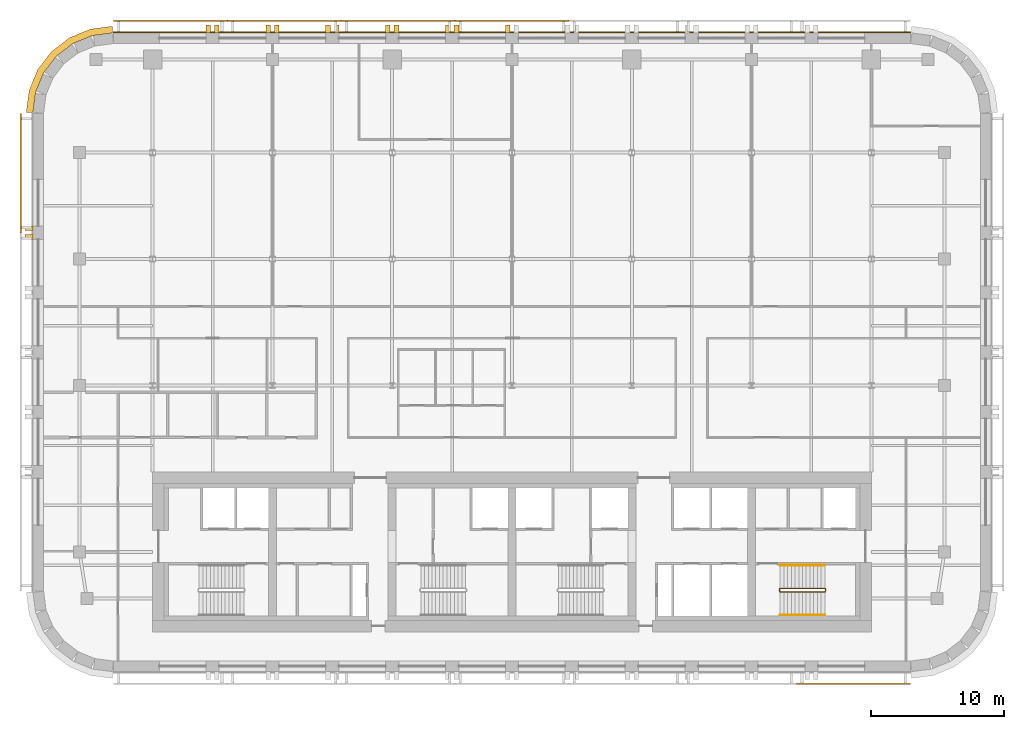
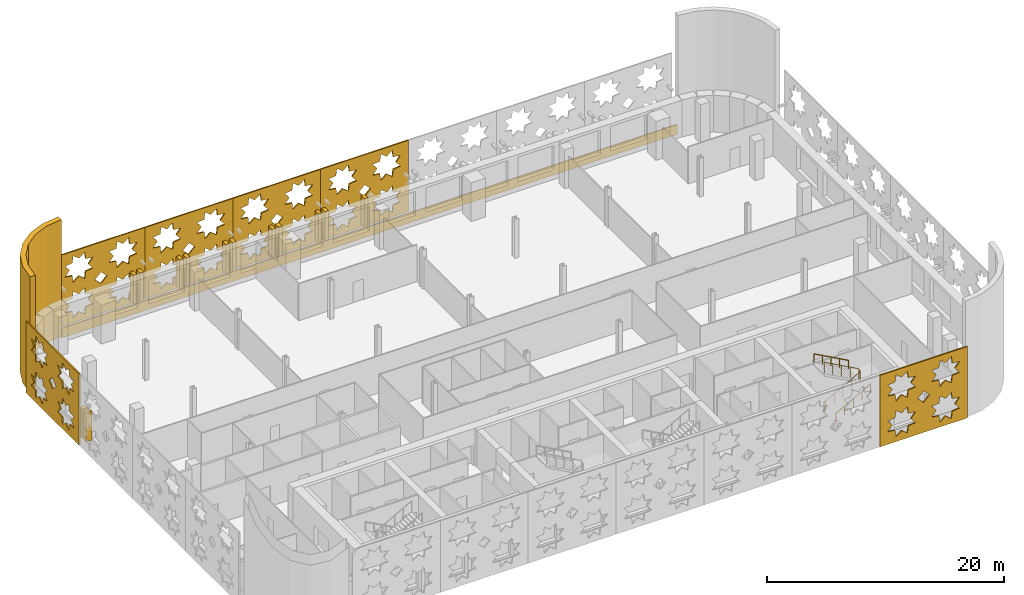
# One storey, part 12 of 14: 21 coverings, 3 railings.
"""IFC4 building model written with IfcOpenShell, lengths in metres."""

from ifc_helpers import new_model, si_unit, direction, frame, origin, origin_2d, place, context, subcontext, project, spatial, polyline, circle, outline, extrude, material, layer, layer_set, type_object, element, save


model = new_model("IFC4")

# Units and contexts
model_context = context("Model", 3, precision=1e-05, world=origin(), true_north=direction((0.0, 1.0)))
body_context = subcontext(model_context, "Body", "Model", "MODEL_VIEW")
ifc_project = project(units=[si_unit("LENGTHUNIT", "METRE"), si_unit("AREAUNIT", "SQUARE_METRE"), si_unit("VOLUMEUNIT", "CUBIC_METRE"), si_unit("PLANEANGLEUNIT", "RADIAN"), si_unit("MASSUNIT", "GRAM", prefix="KILO")], contexts=[model_context])

# Site, building, storey
site_placement = place(None, origin())
site = spatial("IfcSite", under=ifc_project, at=site_placement, CompositionType="ELEMENT")
building_placement = place(site_placement, origin())
building = spatial("IfcBuilding", under=site, at=building_placement, Name="Zellij Exchange Tower", CompositionType="ELEMENT")
storey_placement = place(building_placement, frame((0.0, 0.0, 188.5)))
storey = spatial("IfcBuildingStorey", under=building, at=storey_placement, Name="L43", CompositionType="ELEMENT", Elevation=188.5)

# Railings
ifc_material_1 = material(Name="Stainless steel", Category="steel")
railing_type_1 = type_object("IfcRailingType", Name="CORE-RG stair guard", PredefinedType="GUARDRAIL", material=ifc_material_1)
railing_1_placement = place(storey_placement, frame((20.10009765625, -10.949951171875, 0.0)))
element("IfcRailing", 1, at=railing_1_placement, inside=storey, type_object=railing_type_1, Name="ST4 stair guard L43", PredefinedType="GUARDRAIL", context=body_context, shape_type="SweptSolid", body=[
    extrude(circle(Radius=0.02392578125, at=origin_2d()), frame((0.0, 0.0, 1.076171875), z_axis=(0.0, 1.0, 0.0), x_axis=(-1.0, 0.0, 0.0)), (0.0, 0.0, 1.0), 0.14990234375),
    extrude(circle(Radius=0.02392578125, at=origin_2d()), frame((0.0, 0.14990234375, 1.076171875), z_axis=(0.193691321961, -0.777613689637, 0.598164376644), x_axis=(0.970351222016, 0.241699205484, 0.0)), (0.0, 0.0, 1.0), 0.257080078125),
    extrude(circle(Radius=0.02392578125, at=origin_2d()), frame((0.0498046875, -0.050048828125, 1.22998046875), z_axis=(0.876421534553, 0.0, 0.481544695509), x_axis=(0.0, 1.0, 0.0)), (0.0, 0.0, 1.0), 3.833984375),
    extrude(circle(Radius=0.02392578125, at=origin_2d()), frame((3.409912109375, -0.050048828125, 3.076171875), z_axis=(0.707106781187, 0.707106781187, 0.0), x_axis=(-0.707106781187, 0.707106781187, 0.0)), (0.0, 0.0, 1.0), 0.07080078125),
    extrude(circle(Radius=0.02392578125, at=origin_2d()), frame((3.4599609375, 0.0, 3.076171875), z_axis=(0.0, 1.0, 0.0), x_axis=(-1.0, 0.0, 0.0)), (0.0, 0.0, 1.0), 0.14990234375),
    extrude(circle(Radius=0.02392578125, at=origin_2d()), frame((3.4599609375, 0.14990234375, 3.076171875), z_axis=(-0.295599637079, 0.295599637079, 0.908428152975), x_axis=(-0.707106781187, -0.707106781187, 0.0)), (0.0, 0.0, 1.0), 0.16943359375),
    extrude(circle(Radius=0.02392578125, at=origin_2d()), frame((3.409912109375, 0.199951171875, 3.22998046875), z_axis=(-0.876421534553, 0.0, 0.481544695509), x_axis=(0.0, -1.0, 0.0)), (0.0, 0.0, 1.0), 3.833984375),
    extrude(circle(Radius=0.02099609375, at=origin_2d()), origin(), (0.0, 0.0, 1.0), 1.052001953125),
    extrude(circle(Radius=0.02099609375, at=origin_2d()), frame((0.0, 0.14990234375, 0.0)), (0.0, 0.0, 1.0), 1.052001953125),
    extrude(circle(Radius=0.02099609375, at=origin_2d()), frame((0.0498046875, -0.050048828125, 0.15380859375)), (0.0, 0.0, 1.0), 1.052001953125),
    extrude(circle(Radius=0.02099609375, at=origin_2d()), frame((0.889892578125, -0.050048828125, 0.615234375)), (0.0, 0.0, 1.0), 1.052001953125),
    extrude(circle(Radius=0.02099609375, at=origin_2d()), frame((1.72998046875, -0.050048828125, 1.076904296875)), (0.0, 0.0, 1.0), 1.052001953125),
    extrude(circle(Radius=0.02099609375, at=origin_2d()), frame((2.56982421875, -0.050048828125, 1.53857421875)), (0.0, 0.0, 1.0), 1.052001953125),
    extrude(circle(Radius=0.02099609375, at=origin_2d()), frame((3.409912109375, -0.050048828125, 2.0)), (0.0, 0.0, 1.0), 1.052001953125),
    extrude(circle(Radius=0.02099609375, at=origin_2d()), frame((3.4599609375, 0.0, 2.0)), (0.0, 0.0, 1.0), 1.052001953125),
    extrude(circle(Radius=0.02099609375, at=origin_2d()), frame((3.4599609375, 0.14990234375, 2.0)), (0.0, 0.0, 1.0), 1.052001953125),
    extrude(circle(Radius=0.02099609375, at=origin_2d()), frame((3.409912109375, 0.199951171875, 2.15380859375)), (0.0, 0.0, 1.0), 1.052001953125),
    extrude(circle(Radius=0.02099609375, at=origin_2d()), frame((2.56982421875, 0.199951171875, 2.615234375)), (0.0, 0.0, 1.0), 1.052001953125),
    extrude(circle(Radius=0.02099609375, at=origin_2d()), frame((1.72998046875, 0.199951171875, 3.076904296875)), (0.0, 0.0, 1.0), 1.052001953125),
    extrude(circle(Radius=0.02099609375, at=origin_2d()), frame((0.889892578125, 0.199951171875, 3.53857421875)), (0.0, 0.0, 1.0), 1.052001953125),
    extrude(circle(Radius=0.02099609375, at=origin_2d()), frame((0.0498046875, 0.199951171875, 4.0)), (0.0, 0.0, 1.0), 1.052001953125),
])
railing_type_2 = type_object("IfcRailingType", Name="CORE-RH stair handrail", PredefinedType="HANDRAIL", material=ifc_material_1)
railing_2_placement = place(storey_placement, frame((20.14990234375, -12.75, 0.15380859375)))
element("IfcRailing", 2, at=railing_2_placement, inside=storey, type_object=railing_type_2, Name="ST4 stair handrail L43", PredefinedType="HANDRAIL", context=body_context, shape_type="SweptSolid", body=[
    extrude(circle(Radius=0.02392578125, at=origin_2d()), frame((0.0, 0.0, 0.8759765625), z_axis=(0.876421534553, 0.0, 0.481544695509), x_axis=(0.0, 1.0, 0.0)), (0.0, 0.0, 1.0), 3.833984375),
    extrude(circle(Radius=0.02099609375, at=origin_2d()), origin(), (0.0, 0.0, 1.0), 0.851806640625),
    extrude(circle(Radius=0.02099609375, at=origin_2d()), frame((0.840087890625, 0.0, 0.46142578125)), (0.0, 0.0, 1.0), 0.851806640625),
    extrude(circle(Radius=0.02099609375, at=origin_2d()), frame((1.68017578125, 0.0, 0.923095703125)), (0.0, 0.0, 1.0), 0.851806640625),
    extrude(circle(Radius=0.02099609375, at=origin_2d()), frame((2.52001953125, 0.0, 1.384765625)), (0.0, 0.0, 1.0), 0.851806640625),
    extrude(circle(Radius=0.02099609375, at=origin_2d()), frame((3.360107421875, 0.0, 1.84619140625)), (0.0, 0.0, 1.0), 0.851806640625),
])
railing_3_placement = place(storey_placement, frame((23.510009765625, -9.0, 2.15380859375)))
element("IfcRailing", 3, at=railing_3_placement, inside=storey, type_object=railing_type_2, Name="ST4 stair handrail L43", PredefinedType="HANDRAIL", context=body_context, shape_type="SweptSolid", body=[
    extrude(circle(Radius=0.02392578125, at=origin_2d()), frame((0.0, 0.0, 0.8759765625), z_axis=(-0.876421534553, 0.0, 0.481544695509), x_axis=(0.0, -1.0, 0.0)), (0.0, 0.0, 1.0), 3.833984375),
    extrude(circle(Radius=0.02099609375, at=origin_2d()), origin(), (0.0, 0.0, 1.0), 0.851806640625),
    extrude(circle(Radius=0.02099609375, at=origin_2d()), frame((-0.840087890625, 0.0, 0.46142578125)), (0.0, 0.0, 1.0), 0.851806640625),
    extrude(circle(Radius=0.02099609375, at=origin_2d()), frame((-1.68017578125, 0.0, 0.923095703125)), (0.0, 0.0, 1.0), 0.851806640625),
    extrude(circle(Radius=0.02099609375, at=origin_2d()), frame((-2.52001953125, 0.0, 1.384765625)), (0.0, 0.0, 1.0), 0.851806640625),
    extrude(circle(Radius=0.02099609375, at=origin_2d()), frame((-3.360107421875, 0.0, 1.84619140625)), (0.0, 0.0, 1.0), 0.851806640625),
])

# Coverings
ifc_material_2 = material(Name="Limestone cladding", Category="masonry")
ifc_layer_1 = layer(ifc_material_2, 0.5)
ifc_layer_set_1 = layer_set([ifc_layer_1], Name="Limestone cladding")
covering_type_1 = type_object("IfcCoveringType", Name="ENV-CV12 Stone corner pier 500", PredefinedType="CLADDING", material=ifc_layer_set_1)
covering_1_placement = place(storey_placement, origin())
element("IfcCovering", 4, at=covering_1_placement, inside=storey, type_object=covering_type_1, Name="Stone corner pier", PredefinedType="CLADDING", context=body_context, shape_type="SweptSolid", body=[
    extrude(outline(polyline([(-30.0, 31.0), (-31.552978515625, 30.795654296875), (-33.0, 30.1962890625), (-34.24267578125, 29.24267578125), (-35.1962890625, 28.0), (-35.795654296875, 26.552978515625), (-36.0, 25.0), (-36.5, 25.03271484375), (-36.28271484375, 26.683349609375), (-35.6328125, 28.252197265625), (-34.59912109375, 29.59912109375), (-33.252197265625, 30.6328125), (-31.683349609375, 31.28271484375), (-30.03271484375, 31.5), (-30.0, 31.0)])), origin(), (0.0, 0.0, 1.0), 12.0),
])
covering_type_2 = type_object("IfcCoveringType", Name="ENV-CV3 Stone pier 350x600", PredefinedType="CLADDING", material=ifc_material_2)
covering_2_placement = place(storey_placement, frame((0.0, 0.0, 0.800048828125)))
element("IfcCovering", 5, at=covering_2_placement, inside=storey, type_object=covering_type_2, Name="Stone pier", PredefinedType="CLADDING", context=body_context, shape_type="SweptSolid", body=[
    extrude(outline(polyline([(-0.14990234375, 31.0), (-0.5, 31.0), (-0.5, 31.60009765625), (-0.14990234375, 31.60009765625), (-0.14990234375, 31.0)])), origin(), (0.0, 0.0, 1.0), 3.0),
])
covering_3_placement = place(storey_placement, frame((0.0, 0.0, 0.800048828125)))
element("IfcCovering", 6, at=covering_3_placement, inside=storey, type_object=covering_type_2, Name="Stone pier", PredefinedType="CLADDING", context=body_context, shape_type="SweptSolid", body=[
    extrude(outline(polyline([(-4.0, 31.0), (-4.35009765625, 31.0), (-4.35009765625, 31.60009765625), (-4.0, 31.60009765625), (-4.0, 31.0)])), origin(), (0.0, 0.0, 1.0), 3.0),
])
covering_4_placement = place(storey_placement, frame((0.0, 0.0, 0.800048828125)))
element("IfcCovering", 7, at=covering_4_placement, inside=storey, type_object=covering_type_2, Name="Stone pier", PredefinedType="CLADDING", context=body_context, shape_type="SweptSolid", body=[
    extrude(outline(polyline([(-4.64990234375, 31.0), (-5.0, 31.0), (-5.0, 31.60009765625), (-4.64990234375, 31.60009765625), (-4.64990234375, 31.0)])), origin(), (0.0, 0.0, 1.0), 3.0),
])
covering_5_placement = place(storey_placement, frame((0.0, 0.0, 0.800048828125)))
element("IfcCovering", 8, at=covering_5_placement, inside=storey, type_object=covering_type_2, Name="Stone pier", PredefinedType="CLADDING", context=body_context, shape_type="SweptSolid", body=[
    extrude(outline(polyline([(-8.5, 31.0), (-8.85009765625, 31.0), (-8.85009765625, 31.60009765625), (-8.5, 31.60009765625), (-8.5, 31.0)])), origin(), (0.0, 0.0, 1.0), 3.0),
])
covering_6_placement = place(storey_placement, frame((0.0, 0.0, 0.800048828125)))
element("IfcCovering", 9, at=covering_6_placement, inside=storey, type_object=covering_type_2, Name="Stone pier", PredefinedType="CLADDING", context=body_context, shape_type="SweptSolid", body=[
    extrude(outline(polyline([(-9.14990234375, 31.0), (-9.5, 31.0), (-9.5, 31.60009765625), (-9.14990234375, 31.60009765625), (-9.14990234375, 31.0)])), origin(), (0.0, 0.0, 1.0), 3.0),
])
covering_7_placement = place(storey_placement, frame((0.0, 0.0, 0.800048828125)))
element("IfcCovering", 10, at=covering_7_placement, inside=storey, type_object=covering_type_2, Name="Stone pier", PredefinedType="CLADDING", context=body_context, shape_type="SweptSolid", body=[
    extrude(outline(polyline([(-13.0, 31.0), (-13.35009765625, 31.0), (-13.35009765625, 31.60009765625), (-13.0, 31.60009765625), (-13.0, 31.0)])), origin(), (0.0, 0.0, 1.0), 3.0),
])
covering_8_placement = place(storey_placement, frame((0.0, 0.0, 0.800048828125)))
element("IfcCovering", 11, at=covering_8_placement, inside=storey, type_object=covering_type_2, Name="Stone pier", PredefinedType="CLADDING", context=body_context, shape_type="SweptSolid", body=[
    extrude(outline(polyline([(-13.64990234375, 31.0), (-14.0, 31.0), (-14.0, 31.60009765625), (-13.64990234375, 31.60009765625), (-13.64990234375, 31.0)])), origin(), (0.0, 0.0, 1.0), 3.0),
])
covering_9_placement = place(storey_placement, frame((0.0, 0.0, 0.800048828125)))
element("IfcCovering", 12, at=covering_9_placement, inside=storey, type_object=covering_type_2, Name="Stone pier", PredefinedType="CLADDING", context=body_context, shape_type="SweptSolid", body=[
    extrude(outline(polyline([(-17.5, 31.0), (-17.85009765625, 31.0), (-17.85009765625, 31.60009765625), (-17.5, 31.60009765625), (-17.5, 31.0)])), origin(), (0.0, 0.0, 1.0), 3.0),
])
covering_10_placement = place(storey_placement, frame((0.0, 0.0, 0.800048828125)))
element("IfcCovering", 13, at=covering_10_placement, inside=storey, type_object=covering_type_2, Name="Stone pier", PredefinedType="CLADDING", context=body_context, shape_type="SweptSolid", body=[
    extrude(outline(polyline([(-18.14990234375, 31.0), (-18.5, 31.0), (-18.5, 31.60009765625), (-18.14990234375, 31.60009765625), (-18.14990234375, 31.0)])), origin(), (0.0, 0.0, 1.0), 3.0),
])
covering_11_placement = place(storey_placement, frame((0.0, 0.0, 0.800048828125)))
element("IfcCovering", 14, at=covering_11_placement, inside=storey, type_object=covering_type_2, Name="Stone pier", PredefinedType="CLADDING", context=body_context, shape_type="SweptSolid", body=[
    extrude(outline(polyline([(-22.0, 31.0), (-22.35009765625, 31.0), (-22.35009765625, 31.60009765625), (-22.0, 31.60009765625), (-22.0, 31.0)])), origin(), (0.0, 0.0, 1.0), 3.0),
])
covering_12_placement = place(storey_placement, frame((0.0, 0.0, 0.800048828125)))
element("IfcCovering", 15, at=covering_12_placement, inside=storey, type_object=covering_type_2, Name="Stone pier", PredefinedType="CLADDING", context=body_context, shape_type="SweptSolid", body=[
    extrude(outline(polyline([(-22.64990234375, 31.0), (-23.0, 31.0), (-23.0, 31.60009765625), (-22.64990234375, 31.60009765625), (-22.64990234375, 31.0)])), origin(), (0.0, 0.0, 1.0), 3.0),
])
covering_13_placement = place(storey_placement, frame((0.0, 0.0, 0.800048828125)))
element("IfcCovering", 16, at=covering_13_placement, inside=storey, type_object=covering_type_2, Name="Stone pier", PredefinedType="CLADDING", context=body_context, shape_type="SweptSolid", body=[
    extrude(outline(polyline([(-36.0, 16.48681640625), (-36.0, 16.136962890625), (-36.60009765625, 16.136962890625), (-36.60009765625, 16.48681640625), (-36.0, 16.48681640625)])), origin(), (0.0, 0.0, 1.0), 3.0),
])
covering_14_placement = place(storey_placement, frame((0.0, 0.0, 0.800048828125)))
element("IfcCovering", 17, at=covering_14_placement, inside=storey, type_object=covering_type_2, Name="Stone pier", PredefinedType="CLADDING", context=body_context, shape_type="SweptSolid", body=[
    extrude(outline(polyline([(-36.0, 15.8369140625), (-36.0, 15.48681640625), (-36.60009765625, 15.48681640625), (-36.60009765625, 15.8369140625), (-36.0, 15.8369140625)])), origin(), (0.0, 0.0, 1.0), 3.0),
])
ifc_layer_2 = layer(ifc_material_2, 0.10009765625)
ifc_layer_set_2 = layer_set([ifc_layer_2], Name="Limestone cladding")
covering_type_3 = type_object("IfcCoveringType", Name="ENV-CV9 Stone spandrel band 100", PredefinedType="CLADDING", material=ifc_layer_set_2)
covering_15_placement = place(storey_placement, frame((0.0, 0.0, -0.199951171875)))
element("IfcCovering", 18, at=covering_15_placement, inside=storey, type_object=covering_type_3, Name="Stone spandrel band", PredefinedType="CLADDING", context=body_context, shape_type="SweptSolid", body=[
    extrude(outline(polyline([(29.973876953125, 31.0), (-29.973876953125, 31.0), (-29.980224609375, 31.10009765625), (29.980224609375, 31.10009765625), (29.973876953125, 31.0)])), origin(), (0.0, 0.0, 1.0), 1.0),
])
ifc_material_3 = material(Name="Limestone screen", Category="masonry")
ifc_layer_3 = layer(ifc_material_3, 0.1201171875)
ifc_layer_set_3 = layer_set([ifc_layer_3], Name="Limestone screen")
covering_type_4 = type_object("IfcCoveringType", Name="ENV-SC1 Pierced stone screen 120", PredefinedType="USERDEFINED", material=ifc_layer_set_3)
covering_16_placement = place(storey_placement, frame((-36.909912109375, 24.947509765625, 0.300048828125), z_axis=(0.0, 0.0, 1.0), x_axis=(0.0, -1.0, 0.0)))
element("IfcCovering", 19, at=covering_16_placement, inside=storey, type_object=covering_type_4, Name="Pierced stone screen", ObjectType="SCREEN", PredefinedType="USERDEFINED", context=body_context, shape_type="SweptSolid", body=[
    extrude(outline(polyline([(0.0, 0.0), (8.973876953125, 0.0), (8.973876953125, 7.35009765625), (0.0, 7.35009765625), (0.0, 0.0)]), holes=[polyline([(3.6015625, 2.39990234375), (2.887939453125, 2.48193359375), (2.805908203125, 3.195556640625), (2.243408203125, 2.748779296875), (1.680908203125, 3.195556640625), (1.59912109375, 2.48193359375), (0.88525390625, 2.39990234375), (1.33203125, 1.83740234375), (0.88525390625, 1.27490234375), (1.59912109375, 1.193115234375), (1.680908203125, 0.4794921875), (2.243408203125, 0.926025390625), (2.805908203125, 0.4794921875), (2.887939453125, 1.193115234375), (3.6015625, 1.27490234375), (3.15478515625, 1.83740234375), (3.6015625, 2.39990234375)]), polyline([(3.6015625, 6.074951171875), (2.887939453125, 6.156982421875), (2.805908203125, 6.87060546875), (2.243408203125, 6.423828125), (1.680908203125, 6.87060546875), (1.59912109375, 6.156982421875), (0.88525390625, 6.074951171875), (1.33203125, 5.512451171875), (0.88525390625, 4.949951171875), (1.59912109375, 4.867919921875), (1.680908203125, 4.154296875), (2.243408203125, 4.60107421875), (2.805908203125, 4.154296875), (2.887939453125, 4.867919921875), (3.6015625, 4.949951171875), (3.15478515625, 5.512451171875), (3.6015625, 6.074951171875)]), polyline([(8.08837890625, 2.39990234375), (7.374755859375, 2.48193359375), (7.29296875, 3.195556640625), (6.730224609375, 2.748779296875), (6.167724609375, 3.195556640625), (6.0859375, 2.48193359375), (5.372314453125, 2.39990234375), (5.81884765625, 1.83740234375), (5.372314453125, 1.27490234375), (6.0859375, 1.193115234375), (6.167724609375, 0.4794921875), (6.730224609375, 0.926025390625), (7.29296875, 0.4794921875), (7.374755859375, 1.193115234375), (8.08837890625, 1.27490234375), (7.6416015625, 1.83740234375), (8.08837890625, 2.39990234375)]), polyline([(8.08837890625, 6.074951171875), (7.374755859375, 6.156982421875), (7.29296875, 6.87060546875), (6.730224609375, 6.423828125), (6.167724609375, 6.87060546875), (6.0859375, 6.156982421875), (5.372314453125, 6.074951171875), (5.81884765625, 5.512451171875), (5.372314453125, 4.949951171875), (6.0859375, 4.867919921875), (6.167724609375, 4.154296875), (6.730224609375, 4.60107421875), (7.29296875, 4.154296875), (7.374755859375, 4.867919921875), (8.08837890625, 4.949951171875), (7.6416015625, 5.512451171875), (8.08837890625, 6.074951171875)]), polyline([(5.074951171875, 3.675048828125), (4.48681640625, 4.262939453125), (3.89892578125, 3.675048828125), (4.48681640625, 3.0869140625), (5.074951171875, 3.675048828125)])]), frame((0.0, 0.06005859375, 0.0), z_axis=(0.0, -1.0, 0.0), x_axis=(1.0, 0.0, 0.0)), (0.0, 0.0, 1.0), 0.1201171875),
])
covering_17_placement = place(storey_placement, frame((21.39111328125, -17.909912109375, 0.300048828125), z_axis=(0.0, 0.0, 1.0), x_axis=(1.0, 0.0, 0.0)))
element("IfcCovering", 20, at=covering_17_placement, inside=storey, type_object=covering_type_4, Name="Pierced stone screen", ObjectType="SCREEN", PredefinedType="USERDEFINED", context=body_context, shape_type="SweptSolid", body=[
    extrude(outline(polyline([(0.0, 0.0), (8.556396484375, 0.0), (8.556396484375, 7.35009765625), (0.0, 7.35009765625), (0.0, 0.0)]), holes=[polyline([(3.497314453125, 2.39990234375), (2.78369140625, 2.48193359375), (2.70166015625, 3.195556640625), (2.13916015625, 2.748779296875), (1.57666015625, 3.195556640625), (1.49462890625, 2.48193359375), (0.781005859375, 2.39990234375), (1.227783203125, 1.83740234375), (0.781005859375, 1.27490234375), (1.49462890625, 1.193115234375), (1.57666015625, 0.4794921875), (2.13916015625, 0.926025390625), (2.70166015625, 0.4794921875), (2.78369140625, 1.193115234375), (3.497314453125, 1.27490234375), (3.050537109375, 1.83740234375), (3.497314453125, 2.39990234375)]), polyline([(3.497314453125, 6.074951171875), (2.78369140625, 6.156982421875), (2.70166015625, 6.87060546875), (2.13916015625, 6.423828125), (1.57666015625, 6.87060546875), (1.49462890625, 6.156982421875), (0.781005859375, 6.074951171875), (1.227783203125, 5.512451171875), (0.781005859375, 4.949951171875), (1.49462890625, 4.867919921875), (1.57666015625, 4.154296875), (2.13916015625, 4.60107421875), (2.70166015625, 4.154296875), (2.78369140625, 4.867919921875), (3.497314453125, 4.949951171875), (3.050537109375, 5.512451171875), (3.497314453125, 6.074951171875)]), polyline([(7.775390625, 2.39990234375), (7.061767578125, 2.48193359375), (6.97998046875, 3.195556640625), (6.417236328125, 2.748779296875), (5.854736328125, 3.195556640625), (5.77294921875, 2.48193359375), (5.05908203125, 2.39990234375), (5.505859375, 1.83740234375), (5.05908203125, 1.27490234375), (5.77294921875, 1.193115234375), (5.854736328125, 0.4794921875), (6.417236328125, 0.926025390625), (6.97998046875, 0.4794921875), (7.061767578125, 1.193115234375), (7.775390625, 1.27490234375), (7.32861328125, 1.83740234375), (7.775390625, 2.39990234375)]), polyline([(7.775390625, 6.074951171875), (7.061767578125, 6.156982421875), (6.97998046875, 6.87060546875), (6.417236328125, 6.423828125), (5.854736328125, 6.87060546875), (5.77294921875, 6.156982421875), (5.05908203125, 6.074951171875), (5.505859375, 5.512451171875), (5.05908203125, 4.949951171875), (5.77294921875, 4.867919921875), (5.854736328125, 4.154296875), (6.417236328125, 4.60107421875), (6.97998046875, 4.154296875), (7.061767578125, 4.867919921875), (7.775390625, 4.949951171875), (7.32861328125, 5.512451171875), (7.775390625, 6.074951171875)]), polyline([(4.8662109375, 3.675048828125), (4.2783203125, 4.262939453125), (3.690185546875, 3.675048828125), (4.2783203125, 3.0869140625), (4.8662109375, 3.675048828125)])]), frame((0.0, 0.06005859375, 0.0), z_axis=(0.0, -1.0, 0.0), x_axis=(1.0, 0.0, 0.0)), (0.0, 0.0, 1.0), 0.1201171875),
])
covering_18_placement = place(storey_placement, frame((4.2783203125, 31.909912109375, 0.300048828125), z_axis=(0.0, 0.0, 1.0), x_axis=(-1.0, 0.0, 0.0)))
element("IfcCovering", 21, at=covering_18_placement, inside=storey, type_object=covering_type_4, Name="Pierced stone screen", ObjectType="SCREEN", PredefinedType="USERDEFINED", context=body_context, shape_type="SweptSolid", body=[
    extrude(outline(polyline([(0.0, 0.0), (8.556396484375, 0.0), (8.556396484375, 7.35009765625), (0.0, 7.35009765625), (0.0, 0.0)]), holes=[polyline([(3.497314453125, 2.39990234375), (2.78369140625, 2.48193359375), (2.70166015625, 3.195556640625), (2.13916015625, 2.748779296875), (1.57666015625, 3.195556640625), (1.49462890625, 2.48193359375), (0.781005859375, 2.39990234375), (1.227783203125, 1.83740234375), (0.781005859375, 1.27490234375), (1.49462890625, 1.193115234375), (1.57666015625, 0.4794921875), (2.13916015625, 0.926025390625), (2.70166015625, 0.4794921875), (2.78369140625, 1.193115234375), (3.497314453125, 1.27490234375), (3.050537109375, 1.83740234375), (3.497314453125, 2.39990234375)]), polyline([(3.497314453125, 6.074951171875), (2.78369140625, 6.156982421875), (2.70166015625, 6.87060546875), (2.13916015625, 6.423828125), (1.57666015625, 6.87060546875), (1.49462890625, 6.156982421875), (0.781005859375, 6.074951171875), (1.227783203125, 5.512451171875), (0.781005859375, 4.949951171875), (1.49462890625, 4.867919921875), (1.57666015625, 4.154296875), (2.13916015625, 4.60107421875), (2.70166015625, 4.154296875), (2.78369140625, 4.867919921875), (3.497314453125, 4.949951171875), (3.050537109375, 5.512451171875), (3.497314453125, 6.074951171875)]), polyline([(7.775390625, 2.39990234375), (7.061767578125, 2.48193359375), (6.97998046875, 3.195556640625), (6.417236328125, 2.748779296875), (5.854736328125, 3.195556640625), (5.77294921875, 2.48193359375), (5.05908203125, 2.39990234375), (5.505859375, 1.83740234375), (5.05908203125, 1.27490234375), (5.77294921875, 1.193115234375), (5.854736328125, 0.4794921875), (6.417236328125, 0.926025390625), (6.97998046875, 0.4794921875), (7.061767578125, 1.193115234375), (7.775390625, 1.27490234375), (7.32861328125, 1.83740234375), (7.775390625, 2.39990234375)]), polyline([(7.775390625, 6.074951171875), (7.061767578125, 6.156982421875), (6.97998046875, 6.87060546875), (6.417236328125, 6.423828125), (5.854736328125, 6.87060546875), (5.77294921875, 6.156982421875), (5.05908203125, 6.074951171875), (5.505859375, 5.512451171875), (5.05908203125, 4.949951171875), (5.77294921875, 4.867919921875), (5.854736328125, 4.154296875), (6.417236328125, 4.60107421875), (6.97998046875, 4.154296875), (7.061767578125, 4.867919921875), (7.775390625, 4.949951171875), (7.32861328125, 5.512451171875), (7.775390625, 6.074951171875)]), polyline([(4.8662109375, 3.675048828125), (4.2783203125, 4.262939453125), (3.690185546875, 3.675048828125), (4.2783203125, 3.0869140625), (4.8662109375, 3.675048828125)])]), frame((0.0, 0.06005859375, 0.0), z_axis=(0.0, -1.0, 0.0), x_axis=(1.0, 0.0, 0.0)), (0.0, 0.0, 1.0), 0.1201171875),
])
covering_19_placement = place(storey_placement, frame((-4.2783203125, 31.909912109375, 0.300048828125), z_axis=(0.0, 0.0, 1.0), x_axis=(-1.0, 0.0, 0.0)))
element("IfcCovering", 22, at=covering_19_placement, inside=storey, type_object=covering_type_4, Name="Pierced stone screen", ObjectType="SCREEN", PredefinedType="USERDEFINED", context=body_context, shape_type="SweptSolid", body=[
    extrude(outline(polyline([(0.0, 0.0), (8.556396484375, 0.0), (8.556396484375, 7.35009765625), (0.0, 7.35009765625), (0.0, 0.0)]), holes=[polyline([(3.497314453125, 2.39990234375), (2.78369140625, 2.48193359375), (2.70166015625, 3.195556640625), (2.13916015625, 2.748779296875), (1.57666015625, 3.195556640625), (1.49462890625, 2.48193359375), (0.781005859375, 2.39990234375), (1.227783203125, 1.83740234375), (0.781005859375, 1.27490234375), (1.49462890625, 1.193115234375), (1.57666015625, 0.4794921875), (2.13916015625, 0.926025390625), (2.70166015625, 0.4794921875), (2.78369140625, 1.193115234375), (3.497314453125, 1.27490234375), (3.050537109375, 1.83740234375), (3.497314453125, 2.39990234375)]), polyline([(3.497314453125, 6.074951171875), (2.78369140625, 6.156982421875), (2.70166015625, 6.87060546875), (2.13916015625, 6.423828125), (1.57666015625, 6.87060546875), (1.49462890625, 6.156982421875), (0.781005859375, 6.074951171875), (1.227783203125, 5.512451171875), (0.781005859375, 4.949951171875), (1.49462890625, 4.867919921875), (1.57666015625, 4.154296875), (2.13916015625, 4.60107421875), (2.70166015625, 4.154296875), (2.78369140625, 4.867919921875), (3.497314453125, 4.949951171875), (3.050537109375, 5.512451171875), (3.497314453125, 6.074951171875)]), polyline([(7.775390625, 2.39990234375), (7.061767578125, 2.48193359375), (6.97998046875, 3.195556640625), (6.417236328125, 2.748779296875), (5.854736328125, 3.195556640625), (5.77294921875, 2.48193359375), (5.05908203125, 2.39990234375), (5.505859375, 1.83740234375), (5.05908203125, 1.27490234375), (5.77294921875, 1.193115234375), (5.854736328125, 0.4794921875), (6.417236328125, 0.926025390625), (6.97998046875, 0.4794921875), (7.061767578125, 1.193115234375), (7.775390625, 1.27490234375), (7.32861328125, 1.83740234375), (7.775390625, 2.39990234375)]), polyline([(7.775390625, 6.074951171875), (7.061767578125, 6.156982421875), (6.97998046875, 6.87060546875), (6.417236328125, 6.423828125), (5.854736328125, 6.87060546875), (5.77294921875, 6.156982421875), (5.05908203125, 6.074951171875), (5.505859375, 5.512451171875), (5.05908203125, 4.949951171875), (5.77294921875, 4.867919921875), (5.854736328125, 4.154296875), (6.417236328125, 4.60107421875), (6.97998046875, 4.154296875), (7.061767578125, 4.867919921875), (7.775390625, 4.949951171875), (7.32861328125, 5.512451171875), (7.775390625, 6.074951171875)]), polyline([(4.8662109375, 3.675048828125), (4.2783203125, 4.262939453125), (3.690185546875, 3.675048828125), (4.2783203125, 3.0869140625), (4.8662109375, 3.675048828125)])]), frame((0.0, 0.06005859375, 0.0), z_axis=(0.0, -1.0, 0.0), x_axis=(1.0, 0.0, 0.0)), (0.0, 0.0, 1.0), 0.1201171875),
])
covering_20_placement = place(storey_placement, frame((-12.834716796875, 31.909912109375, 0.300048828125), z_axis=(0.0, 0.0, 1.0), x_axis=(-1.0, 0.0, 0.0)))
element("IfcCovering", 23, at=covering_20_placement, inside=storey, type_object=covering_type_4, Name="Pierced stone screen", ObjectType="SCREEN", PredefinedType="USERDEFINED", context=body_context, shape_type="SweptSolid", body=[
    extrude(outline(polyline([(0.0, 0.0), (8.556396484375, 0.0), (8.556396484375, 7.35009765625), (0.0, 7.35009765625), (0.0, 0.0)]), holes=[polyline([(3.497314453125, 2.39990234375), (2.78369140625, 2.48193359375), (2.70166015625, 3.195556640625), (2.13916015625, 2.748779296875), (1.57666015625, 3.195556640625), (1.49462890625, 2.48193359375), (0.781005859375, 2.39990234375), (1.227783203125, 1.83740234375), (0.781005859375, 1.27490234375), (1.49462890625, 1.193115234375), (1.57666015625, 0.4794921875), (2.13916015625, 0.926025390625), (2.70166015625, 0.4794921875), (2.78369140625, 1.193115234375), (3.497314453125, 1.27490234375), (3.050537109375, 1.83740234375), (3.497314453125, 2.39990234375)]), polyline([(3.497314453125, 6.074951171875), (2.78369140625, 6.156982421875), (2.70166015625, 6.87060546875), (2.13916015625, 6.423828125), (1.57666015625, 6.87060546875), (1.49462890625, 6.156982421875), (0.781005859375, 6.074951171875), (1.227783203125, 5.512451171875), (0.781005859375, 4.949951171875), (1.49462890625, 4.867919921875), (1.57666015625, 4.154296875), (2.13916015625, 4.60107421875), (2.70166015625, 4.154296875), (2.78369140625, 4.867919921875), (3.497314453125, 4.949951171875), (3.050537109375, 5.512451171875), (3.497314453125, 6.074951171875)]), polyline([(7.775390625, 2.39990234375), (7.061767578125, 2.48193359375), (6.97998046875, 3.195556640625), (6.417236328125, 2.748779296875), (5.854736328125, 3.195556640625), (5.77294921875, 2.48193359375), (5.05908203125, 2.39990234375), (5.505859375, 1.83740234375), (5.05908203125, 1.27490234375), (5.77294921875, 1.193115234375), (5.854736328125, 0.4794921875), (6.417236328125, 0.926025390625), (6.97998046875, 0.4794921875), (7.061767578125, 1.193115234375), (7.775390625, 1.27490234375), (7.32861328125, 1.83740234375), (7.775390625, 2.39990234375)]), polyline([(7.775390625, 6.074951171875), (7.061767578125, 6.156982421875), (6.97998046875, 6.87060546875), (6.417236328125, 6.423828125), (5.854736328125, 6.87060546875), (5.77294921875, 6.156982421875), (5.05908203125, 6.074951171875), (5.505859375, 5.512451171875), (5.05908203125, 4.949951171875), (5.77294921875, 4.867919921875), (5.854736328125, 4.154296875), (6.417236328125, 4.60107421875), (6.97998046875, 4.154296875), (7.061767578125, 4.867919921875), (7.775390625, 4.949951171875), (7.32861328125, 5.512451171875), (7.775390625, 6.074951171875)]), polyline([(4.8662109375, 3.675048828125), (4.2783203125, 4.262939453125), (3.690185546875, 3.675048828125), (4.2783203125, 3.0869140625), (4.8662109375, 3.675048828125)])]), frame((0.0, 0.06005859375, 0.0), z_axis=(0.0, -1.0, 0.0), x_axis=(1.0, 0.0, 0.0)), (0.0, 0.0, 1.0), 0.1201171875),
])
covering_21_placement = place(storey_placement, frame((-21.39111328125, 31.909912109375, 0.300048828125), z_axis=(0.0, 0.0, 1.0), x_axis=(-1.0, 0.0, 0.0)))
element("IfcCovering", 24, at=covering_21_placement, inside=storey, type_object=covering_type_4, Name="Pierced stone screen", ObjectType="SCREEN", PredefinedType="USERDEFINED", context=body_context, shape_type="SweptSolid", body=[
    extrude(outline(polyline([(0.0, 0.0), (8.556396484375, 0.0), (8.556396484375, 7.35009765625), (0.0, 7.35009765625), (0.0, 0.0)]), holes=[polyline([(3.497314453125, 2.39990234375), (2.78369140625, 2.48193359375), (2.70166015625, 3.195556640625), (2.13916015625, 2.748779296875), (1.57666015625, 3.195556640625), (1.49462890625, 2.48193359375), (0.781005859375, 2.39990234375), (1.227783203125, 1.83740234375), (0.781005859375, 1.27490234375), (1.49462890625, 1.193115234375), (1.57666015625, 0.4794921875), (2.13916015625, 0.926025390625), (2.70166015625, 0.4794921875), (2.78369140625, 1.193115234375), (3.497314453125, 1.27490234375), (3.050537109375, 1.83740234375), (3.497314453125, 2.39990234375)]), polyline([(3.497314453125, 6.074951171875), (2.78369140625, 6.156982421875), (2.70166015625, 6.87060546875), (2.13916015625, 6.423828125), (1.57666015625, 6.87060546875), (1.49462890625, 6.156982421875), (0.781005859375, 6.074951171875), (1.227783203125, 5.512451171875), (0.781005859375, 4.949951171875), (1.49462890625, 4.867919921875), (1.57666015625, 4.154296875), (2.13916015625, 4.60107421875), (2.70166015625, 4.154296875), (2.78369140625, 4.867919921875), (3.497314453125, 4.949951171875), (3.050537109375, 5.512451171875), (3.497314453125, 6.074951171875)]), polyline([(7.775390625, 2.39990234375), (7.061767578125, 2.48193359375), (6.97998046875, 3.195556640625), (6.417236328125, 2.748779296875), (5.854736328125, 3.195556640625), (5.77294921875, 2.48193359375), (5.05908203125, 2.39990234375), (5.505859375, 1.83740234375), (5.05908203125, 1.27490234375), (5.77294921875, 1.193115234375), (5.854736328125, 0.4794921875), (6.417236328125, 0.926025390625), (6.97998046875, 0.4794921875), (7.061767578125, 1.193115234375), (7.775390625, 1.27490234375), (7.32861328125, 1.83740234375), (7.775390625, 2.39990234375)]), polyline([(7.775390625, 6.074951171875), (7.061767578125, 6.156982421875), (6.97998046875, 6.87060546875), (6.417236328125, 6.423828125), (5.854736328125, 6.87060546875), (5.77294921875, 6.156982421875), (5.05908203125, 6.074951171875), (5.505859375, 5.512451171875), (5.05908203125, 4.949951171875), (5.77294921875, 4.867919921875), (5.854736328125, 4.154296875), (6.417236328125, 4.60107421875), (6.97998046875, 4.154296875), (7.061767578125, 4.867919921875), (7.775390625, 4.949951171875), (7.32861328125, 5.512451171875), (7.775390625, 6.074951171875)]), polyline([(4.8662109375, 3.675048828125), (4.2783203125, 4.262939453125), (3.690185546875, 3.675048828125), (4.2783203125, 3.0869140625), (4.8662109375, 3.675048828125)])]), frame((0.0, 0.06005859375, 0.0), z_axis=(0.0, -1.0, 0.0), x_axis=(1.0, 0.0, 0.0)), (0.0, 0.0, 1.0), 0.1201171875),
])

save(model, "model.ifc")
